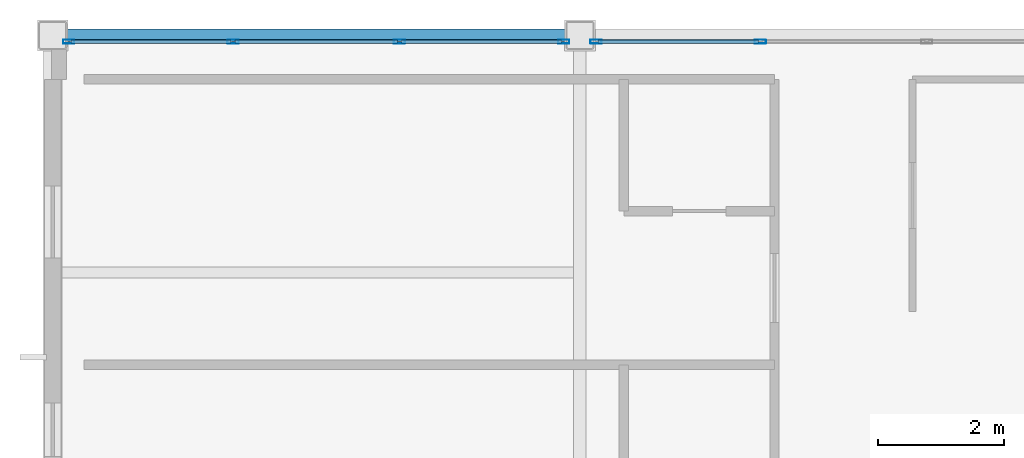
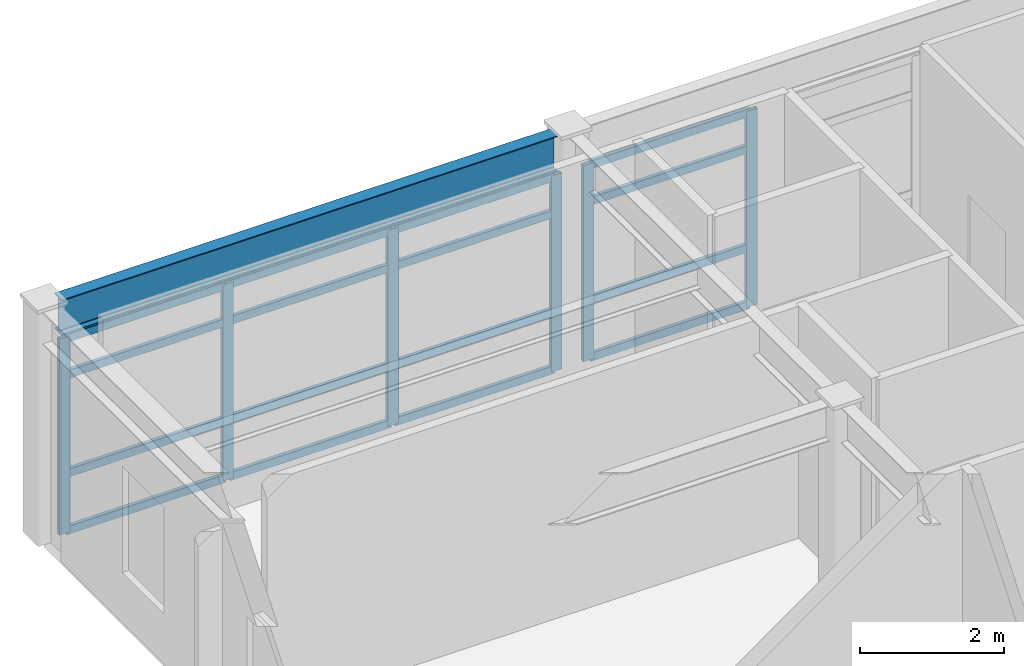
# One storey, part 25 of 34: 22 members, 1 beam, 2 elements without a shape of their own.
"""IFC4 building model written with IfcOpenShell, lengths in metres."""

from ifc_helpers import new_model, si_unit, direction, frame, origin, origin_2d, place, context, subcontext, project, spatial, hollow_rectangle, i_section, extrude, material, layer, layer_set, material_profile, profile_set, type_object, element, aggregate, save


model = new_model("IFC4")

# Units and contexts
model_context = context("Model", 3, precision=1e-05, world=origin(), true_north=direction((0.0, 1.0)))
body_context = subcontext(model_context, "Body", "Model", "MODEL_VIEW")
ifc_project = project(units=[si_unit("LENGTHUNIT", "METRE"), si_unit("AREAUNIT", "SQUARE_METRE"), si_unit("VOLUMEUNIT", "CUBIC_METRE"), si_unit("PLANEANGLEUNIT", "RADIAN"), si_unit("MASSUNIT", "GRAM", prefix="KILO")], contexts=[model_context])

# Site, building, storey
site_placement = place(None, origin())
site = spatial("IfcSite", under=ifc_project, at=site_placement, CompositionType="ELEMENT")
building_placement = place(site_placement, origin())
building = spatial("IfcBuilding", under=site, at=building_placement, Name="Kazehara Bluff Congress Hotel", CompositionType="ELEMENT")
storey_placement = place(building_placement, frame((0.0, 0.0, 46.199951171875)))
storey = spatial("IfcBuildingStorey", under=building, at=storey_placement, Name="L11", CompositionType="ELEMENT", Elevation=46.199951171875)

# Curtain wall, members
ifc_material_1 = material(Name="Anodised aluminium", Category="aluminium")
ifc_layer = layer(ifc_material_1, 0.159912109375)
ifc_layer_set = layer_set([ifc_layer], Name="Anodised aluminium")
curtain_wall_type = type_object("IfcCurtainWallType", Name="TP-CW-206", PredefinedType="NOTDEFINED", material=ifc_layer_set)
curtain_wall_1_placement = place(storey_placement, origin())
curtain_wall_1 = element("IfcCurtainWall", 1, at=curtain_wall_1_placement, inside=storey, type_object=curtain_wall_type, Name="L11 curtain wall CW-206 CW-ENC-V5-L11-14790-8080", PredefinedType="NOTDEFINED")
ifc_material_2 = material(Name="Anodised aluminium", Category="aluminium")
ifc_material_profile_1 = material_profile(ifc_material_2, hollow_rectangle(XDim=0.06494140625, YDim=0.179931640625, WallThickness=0.00390625, InnerFilletRadius=0.00390625, OuterFilletRadius=0.008056640625, at=origin_2d()))
ifc_profile_set_1 = profile_set([ifc_material_profile_1], Name="Anodised aluminium")
member_type_1 = type_object("IfcMemberType", Name="TP-CWM-02", PredefinedType="MULLION", material=ifc_profile_set_1)
member_1_placement = place(storey_placement, frame((143.95751953125, 80.800048828125, 0.0), z_axis=(0.0, 0.0, 1.0), x_axis=(0.0, 1.0, 0.0)))
member_1 = element("IfcMember", 2, at=member_1_placement, type_object=member_type_1, Name="CW-206 mullion 1", PredefinedType="MULLION", context=body_context, shape_type="SweptSolid", body=[
    extrude(hollow_rectangle(XDim=0.06494140625, YDim=0.179931640625, WallThickness=0.00390625, InnerFilletRadius=0.00390625, OuterFilletRadius=0.008056640625, at=origin_2d()), origin(), (0.0, 0.0, 1.0), 3.324951171875),
])
member_2_placement = place(storey_placement, frame((146.574951171875, 80.800048828125, 0.0), z_axis=(0.0, 0.0, 1.0), x_axis=(0.0, 1.0, 0.0)))
member_2 = element("IfcMember", 3, at=member_2_placement, type_object=member_type_1, Name="CW-206 mullion 2", PredefinedType="MULLION", context=body_context, shape_type="SweptSolid", body=[
    extrude(hollow_rectangle(XDim=0.06494140625, YDim=0.179931640625, WallThickness=0.00390625, InnerFilletRadius=0.00390625, OuterFilletRadius=0.008056640625, at=origin_2d()), origin(), (0.0, 0.0, 1.0), 3.324951171875),
])
member_3_placement = place(storey_placement, frame((149.22509765625, 80.800048828125, 0.0), z_axis=(0.0, 0.0, 1.0), x_axis=(0.0, 1.0, 0.0)))
member_3 = element("IfcMember", 4, at=member_3_placement, type_object=member_type_1, Name="CW-206 mullion 3", PredefinedType="MULLION", context=body_context, shape_type="SweptSolid", body=[
    extrude(hollow_rectangle(XDim=0.06494140625, YDim=0.179931640625, WallThickness=0.00390625, InnerFilletRadius=0.00390625, OuterFilletRadius=0.008056640625, at=origin_2d()), origin(), (0.0, 0.0, 1.0), 3.324951171875),
])
member_4_placement = place(storey_placement, frame((151.842529296875, 80.800048828125, 0.0), z_axis=(0.0, 0.0, 1.0), x_axis=(0.0, 1.0, 0.0)))
member_4 = element("IfcMember", 5, at=member_4_placement, type_object=member_type_1, Name="CW-206 mullion 4", PredefinedType="MULLION", context=body_context, shape_type="SweptSolid", body=[
    extrude(hollow_rectangle(XDim=0.06494140625, YDim=0.179931640625, WallThickness=0.00390625, InnerFilletRadius=0.00390625, OuterFilletRadius=0.008056640625, at=origin_2d()), origin(), (0.0, 0.0, 1.0), 3.324951171875),
])

curtain_wall_2_placement = place(storey_placement, origin())
curtain_wall_2 = element("IfcCurtainWall", 6, at=curtain_wall_2_placement, inside=storey, type_object=curtain_wall_type, Name="L11 curtain wall CW-206 CW-ENC-V5-L11-15630-8080", PredefinedType="NOTDEFINED")
member_5_placement = place(storey_placement, frame((152.357421875, 80.800048828125, 0.0), z_axis=(0.0, 0.0, 1.0), x_axis=(0.0, 1.0, 0.0)))
member_5 = element("IfcMember", 7, at=member_5_placement, type_object=member_type_1, Name="CW-206 mullion 1", PredefinedType="MULLION", context=body_context, shape_type="SweptSolid", body=[
    extrude(hollow_rectangle(XDim=0.06494140625, YDim=0.179931640625, WallThickness=0.00390625, InnerFilletRadius=0.00390625, OuterFilletRadius=0.008056640625, at=origin_2d()), origin(), (0.0, 0.0, 1.0), 3.324951171875),
])
member_6_placement = place(storey_placement, frame((154.97509765625, 80.800048828125, 0.0), z_axis=(0.0, 0.0, 1.0), x_axis=(0.0, 1.0, 0.0)))
member_6 = element("IfcMember", 8, at=member_6_placement, type_object=member_type_1, Name="CW-206 mullion 2", PredefinedType="MULLION", context=body_context, shape_type="SweptSolid", body=[
    extrude(hollow_rectangle(XDim=0.06494140625, YDim=0.179931640625, WallThickness=0.00390625, InnerFilletRadius=0.00390625, OuterFilletRadius=0.008056640625, at=origin_2d()), origin(), (0.0, 0.0, 1.0), 3.324951171875),
])

# Member
ifc_material_3 = material(Name="Anodised aluminium", Category="aluminium")
ifc_material_profile_2 = material_profile(ifc_material_3, hollow_rectangle(XDim=0.06494140625, YDim=0.139892578125, WallThickness=0.00390625, InnerFilletRadius=0.00390625, OuterFilletRadius=0.008056640625, at=origin_2d()))
ifc_profile_set_2 = profile_set([ifc_material_profile_2], Name="Anodised aluminium")
member_type_2 = type_object("IfcMemberType", Name="TP-CWT-02", PredefinedType="USERDEFINED", material=ifc_profile_set_2)
member_7_placement = place(storey_placement, frame((143.989990234375, 80.800048828125, 0.032470703125), z_axis=(1.0, 0.0, 0.0), x_axis=(0.0, 1.0, 0.0)))
member_7 = element("IfcMember", 9, at=member_7_placement, type_object=member_type_2, Name="CW-206 transom 1.1", ObjectType="TRANSOM", PredefinedType="USERDEFINED", context=body_context, shape_type="SweptSolid", body=[
    extrude(hollow_rectangle(XDim=0.06494140625, YDim=0.139892578125, WallThickness=0.00390625, InnerFilletRadius=0.00390625, OuterFilletRadius=0.008056640625, at=origin_2d()), origin(), (0.0, 0.0, 1.0), 2.552490234375),
])

member_8_placement = place(storey_placement, frame((143.989990234375, 80.800048828125, 1.0), z_axis=(1.0, 0.0, 0.0), x_axis=(0.0, 1.0, 0.0)))
member_8 = element("IfcMember", 10, at=member_8_placement, type_object=member_type_2, Name="CW-206 transom 1.2", ObjectType="TRANSOM", PredefinedType="USERDEFINED", context=body_context, shape_type="SweptSolid", body=[
    extrude(hollow_rectangle(XDim=0.06494140625, YDim=0.139892578125, WallThickness=0.00390625, InnerFilletRadius=0.00390625, OuterFilletRadius=0.008056640625, at=origin_2d()), origin(), (0.0, 0.0, 1.0), 2.552490234375),
])

member_9_placement = place(storey_placement, frame((143.989990234375, 80.800048828125, 2.675048828125), z_axis=(1.0, 0.0, 0.0), x_axis=(0.0, 1.0, 0.0)))
member_9 = element("IfcMember", 11, at=member_9_placement, type_object=member_type_2, Name="CW-206 transom 1.3", ObjectType="TRANSOM", PredefinedType="USERDEFINED", context=body_context, shape_type="SweptSolid", body=[
    extrude(hollow_rectangle(XDim=0.06494140625, YDim=0.139892578125, WallThickness=0.00390625, InnerFilletRadius=0.00390625, OuterFilletRadius=0.008056640625, at=origin_2d()), origin(), (0.0, 0.0, 1.0), 2.552490234375),
])

member_10_placement = place(storey_placement, frame((143.989990234375, 80.800048828125, 3.29248046875), z_axis=(1.0, 0.0, 0.0), x_axis=(0.0, 1.0, 0.0)))
member_10 = element("IfcMember", 12, at=member_10_placement, type_object=member_type_2, Name="CW-206 transom 1.4", ObjectType="TRANSOM", PredefinedType="USERDEFINED", context=body_context, shape_type="SweptSolid", body=[
    extrude(hollow_rectangle(XDim=0.06494140625, YDim=0.139892578125, WallThickness=0.00390625, InnerFilletRadius=0.00390625, OuterFilletRadius=0.008056640625, at=origin_2d()), origin(), (0.0, 0.0, 1.0), 2.552490234375),
])

member_11_placement = place(storey_placement, frame((146.607421875, 80.800048828125, 0.032470703125), z_axis=(1.0, 0.0, 0.0), x_axis=(0.0, 1.0, 0.0)))
member_11 = element("IfcMember", 13, at=member_11_placement, type_object=member_type_2, Name="CW-206 transom 2.1", ObjectType="TRANSOM", PredefinedType="USERDEFINED", context=body_context, shape_type="SweptSolid", body=[
    extrude(hollow_rectangle(XDim=0.06494140625, YDim=0.139892578125, WallThickness=0.00390625, InnerFilletRadius=0.00390625, OuterFilletRadius=0.008056640625, at=origin_2d()), origin(), (0.0, 0.0, 1.0), 2.5849609375),
])

member_12_placement = place(storey_placement, frame((146.607421875, 80.800048828125, 1.0), z_axis=(1.0, 0.0, 0.0), x_axis=(0.0, 1.0, 0.0)))
member_12 = element("IfcMember", 14, at=member_12_placement, type_object=member_type_2, Name="CW-206 transom 2.2", ObjectType="TRANSOM", PredefinedType="USERDEFINED", context=body_context, shape_type="SweptSolid", body=[
    extrude(hollow_rectangle(XDim=0.06494140625, YDim=0.139892578125, WallThickness=0.00390625, InnerFilletRadius=0.00390625, OuterFilletRadius=0.008056640625, at=origin_2d()), origin(), (0.0, 0.0, 1.0), 2.5849609375),
])

member_13_placement = place(storey_placement, frame((146.607421875, 80.800048828125, 2.675048828125), z_axis=(1.0, 0.0, 0.0), x_axis=(0.0, 1.0, 0.0)))
member_13 = element("IfcMember", 15, at=member_13_placement, type_object=member_type_2, Name="CW-206 transom 2.3", ObjectType="TRANSOM", PredefinedType="USERDEFINED", context=body_context, shape_type="SweptSolid", body=[
    extrude(hollow_rectangle(XDim=0.06494140625, YDim=0.139892578125, WallThickness=0.00390625, InnerFilletRadius=0.00390625, OuterFilletRadius=0.008056640625, at=origin_2d()), origin(), (0.0, 0.0, 1.0), 2.5849609375),
])

member_14_placement = place(storey_placement, frame((146.607421875, 80.800048828125, 3.29248046875), z_axis=(1.0, 0.0, 0.0), x_axis=(0.0, 1.0, 0.0)))
member_14 = element("IfcMember", 16, at=member_14_placement, type_object=member_type_2, Name="CW-206 transom 2.4", ObjectType="TRANSOM", PredefinedType="USERDEFINED", context=body_context, shape_type="SweptSolid", body=[
    extrude(hollow_rectangle(XDim=0.06494140625, YDim=0.139892578125, WallThickness=0.00390625, InnerFilletRadius=0.00390625, OuterFilletRadius=0.008056640625, at=origin_2d()), origin(), (0.0, 0.0, 1.0), 2.5849609375),
])

member_15_placement = place(storey_placement, frame((149.257568359375, 80.800048828125, 0.032470703125), z_axis=(1.0, 0.0, 0.0), x_axis=(0.0, 1.0, 0.0)))
member_15 = element("IfcMember", 17, at=member_15_placement, type_object=member_type_2, Name="CW-206 transom 3.1", ObjectType="TRANSOM", PredefinedType="USERDEFINED", context=body_context, shape_type="SweptSolid", body=[
    extrude(hollow_rectangle(XDim=0.06494140625, YDim=0.139892578125, WallThickness=0.00390625, InnerFilletRadius=0.00390625, OuterFilletRadius=0.008056640625, at=origin_2d()), origin(), (0.0, 0.0, 1.0), 2.552490234375),
])

member_16_placement = place(storey_placement, frame((149.257568359375, 80.800048828125, 1.0), z_axis=(1.0, 0.0, 0.0), x_axis=(0.0, 1.0, 0.0)))
member_16 = element("IfcMember", 18, at=member_16_placement, type_object=member_type_2, Name="CW-206 transom 3.2", ObjectType="TRANSOM", PredefinedType="USERDEFINED", context=body_context, shape_type="SweptSolid", body=[
    extrude(hollow_rectangle(XDim=0.06494140625, YDim=0.139892578125, WallThickness=0.00390625, InnerFilletRadius=0.00390625, OuterFilletRadius=0.008056640625, at=origin_2d()), origin(), (0.0, 0.0, 1.0), 2.552490234375),
])

member_17_placement = place(storey_placement, frame((149.257568359375, 80.800048828125, 2.675048828125), z_axis=(1.0, 0.0, 0.0), x_axis=(0.0, 1.0, 0.0)))
member_17 = element("IfcMember", 19, at=member_17_placement, type_object=member_type_2, Name="CW-206 transom 3.3", ObjectType="TRANSOM", PredefinedType="USERDEFINED", context=body_context, shape_type="SweptSolid", body=[
    extrude(hollow_rectangle(XDim=0.06494140625, YDim=0.139892578125, WallThickness=0.00390625, InnerFilletRadius=0.00390625, OuterFilletRadius=0.008056640625, at=origin_2d()), origin(), (0.0, 0.0, 1.0), 2.552490234375),
])

member_18_placement = place(storey_placement, frame((149.257568359375, 80.800048828125, 3.29248046875), z_axis=(1.0, 0.0, 0.0), x_axis=(0.0, 1.0, 0.0)))
member_18 = element("IfcMember", 20, at=member_18_placement, type_object=member_type_2, Name="CW-206 transom 3.4", ObjectType="TRANSOM", PredefinedType="USERDEFINED", context=body_context, shape_type="SweptSolid", body=[
    extrude(hollow_rectangle(XDim=0.06494140625, YDim=0.139892578125, WallThickness=0.00390625, InnerFilletRadius=0.00390625, OuterFilletRadius=0.008056640625, at=origin_2d()), origin(), (0.0, 0.0, 1.0), 2.552490234375),
])

aggregate(curtain_wall_1, [member_1, member_2, member_3, member_4, member_7, member_8, member_9, member_10, member_11, member_12, member_13, member_14, member_15, member_16, member_17, member_18])

member_19_placement = place(storey_placement, frame((152.389892578125, 80.800048828125, 0.032470703125), z_axis=(1.0, 0.0, 0.0), x_axis=(0.0, 1.0, 0.0)))
member_19 = element("IfcMember", 21, at=member_19_placement, type_object=member_type_2, Name="CW-206 transom 1.1", ObjectType="TRANSOM", PredefinedType="USERDEFINED", context=body_context, shape_type="SweptSolid", body=[
    extrude(hollow_rectangle(XDim=0.06494140625, YDim=0.139892578125, WallThickness=0.00390625, InnerFilletRadius=0.00390625, OuterFilletRadius=0.008056640625, at=origin_2d()), origin(), (0.0, 0.0, 1.0), 2.552490234375),
])

member_20_placement = place(storey_placement, frame((152.389892578125, 80.800048828125, 1.0), z_axis=(1.0, 0.0, 0.0), x_axis=(0.0, 1.0, 0.0)))
member_20 = element("IfcMember", 22, at=member_20_placement, type_object=member_type_2, Name="CW-206 transom 1.2", ObjectType="TRANSOM", PredefinedType="USERDEFINED", context=body_context, shape_type="SweptSolid", body=[
    extrude(hollow_rectangle(XDim=0.06494140625, YDim=0.139892578125, WallThickness=0.00390625, InnerFilletRadius=0.00390625, OuterFilletRadius=0.008056640625, at=origin_2d()), origin(), (0.0, 0.0, 1.0), 2.552490234375),
])

member_21_placement = place(storey_placement, frame((152.389892578125, 80.800048828125, 2.675048828125), z_axis=(1.0, 0.0, 0.0), x_axis=(0.0, 1.0, 0.0)))
member_21 = element("IfcMember", 23, at=member_21_placement, type_object=member_type_2, Name="CW-206 transom 1.3", ObjectType="TRANSOM", PredefinedType="USERDEFINED", context=body_context, shape_type="SweptSolid", body=[
    extrude(hollow_rectangle(XDim=0.06494140625, YDim=0.139892578125, WallThickness=0.00390625, InnerFilletRadius=0.00390625, OuterFilletRadius=0.008056640625, at=origin_2d()), origin(), (0.0, 0.0, 1.0), 2.552490234375),
])

member_22_placement = place(storey_placement, frame((152.389892578125, 80.800048828125, 3.29248046875), z_axis=(1.0, 0.0, 0.0), x_axis=(0.0, 1.0, 0.0)))
member_22 = element("IfcMember", 24, at=member_22_placement, type_object=member_type_2, Name="CW-206 transom 1.4", ObjectType="TRANSOM", PredefinedType="USERDEFINED", context=body_context, shape_type="SweptSolid", body=[
    extrude(hollow_rectangle(XDim=0.06494140625, YDim=0.139892578125, WallThickness=0.00390625, InnerFilletRadius=0.00390625, OuterFilletRadius=0.008056640625, at=origin_2d()), origin(), (0.0, 0.0, 1.0), 2.552490234375),
])

aggregate(curtain_wall_2, [member_5, member_6, member_19, member_20, member_21, member_22])

# Beam
ifc_material_4 = material(Name="Steel SN490B", Category="steel")
ifc_material_profile_3 = material_profile(ifc_material_4, i_section(OverallWidth=0.199951171875, OverallDepth=0.60009765625, WebThickness=0.010986328125, FlangeThickness=0.01708984375, FilletRadius=0.012939453125, at=origin_2d()))
ifc_profile_set_3 = profile_set([ifc_material_profile_3], Name="Steel SN490B")
beam_type = type_object("IfcBeamType", Name="TP-SP-02", PredefinedType="SPANDREL", material=ifc_profile_set_3)
beam_placement = place(storey_placement, frame((143.925048828125, 80.89990234375, 3.650146484375), z_axis=(1.0, 0.0, 0.0), x_axis=(0.0, 1.0, 0.0)))
element("IfcBeam", 25, at=beam_placement, inside=storey, type_object=beam_type, Name="L11 girder SP-02 45", PredefinedType="SPANDREL", context=body_context, shape_type="SweptSolid", body=[
    extrude(i_section(OverallWidth=0.199951171875, OverallDepth=0.60009765625, WebThickness=0.010986328125, FlangeThickness=0.01708984375, FilletRadius=0.012939453125, at=origin_2d()), origin(), (0.0, 0.0, 1.0), 7.949951171875),
])

save(model, "model.ifc")
